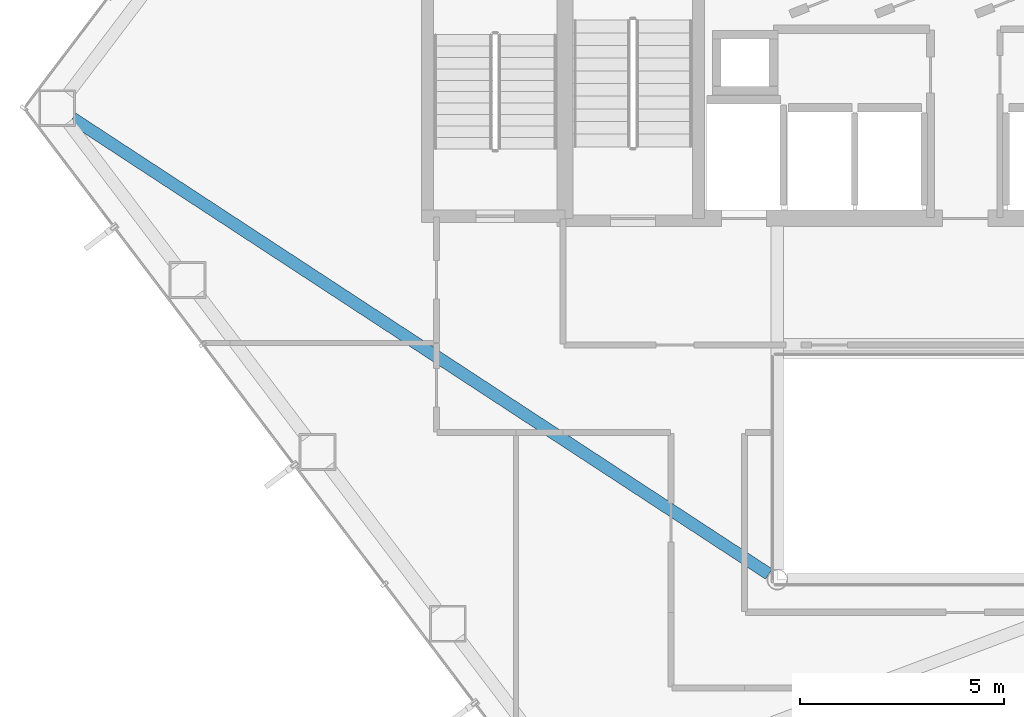
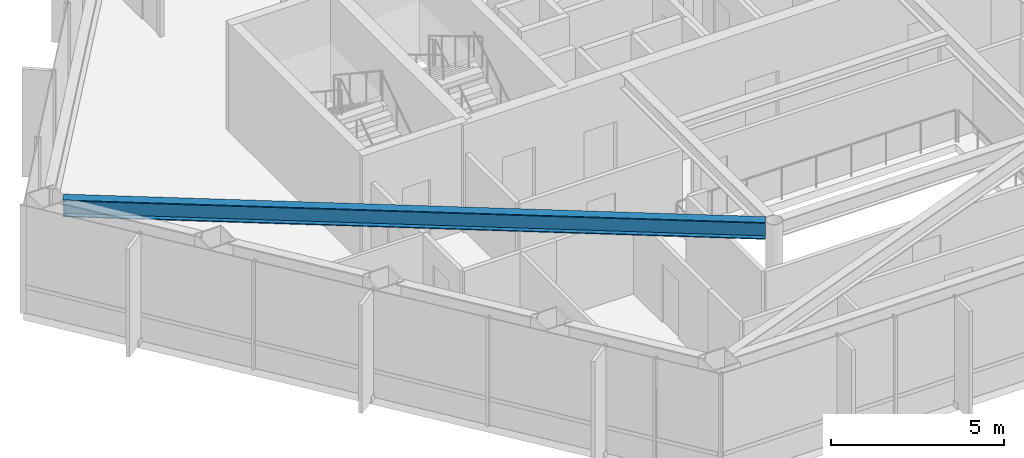
# One storey, part 5 of 25: 1 beam.
"""IFC4 building model written with IfcOpenShell, lengths in metres."""

from ifc_helpers import new_model, si_unit, direction, frame, origin, origin_2d, place, context, subcontext, project, spatial, i_section, extrude, material, material_profile, profile_set, type_object, element, save


model = new_model("IFC4")

# Units and contexts
model_context = context("Model", 3, precision=1e-05, world=origin(), true_north=direction((0.0, 1.0)))
body_context = subcontext(model_context, "Body", "Model", "MODEL_VIEW")
ifc_project = project(units=[si_unit("LENGTHUNIT", "METRE"), si_unit("AREAUNIT", "SQUARE_METRE"), si_unit("VOLUMEUNIT", "CUBIC_METRE"), si_unit("PLANEANGLEUNIT", "RADIAN"), si_unit("MASSUNIT", "GRAM", prefix="KILO")], contexts=[model_context])

# Site, building, storey
site_placement = place(None, origin())
site = spatial("IfcSite", under=ifc_project, at=site_placement, CompositionType="ELEMENT")
building_placement = place(site_placement, origin())
building = spatial("IfcBuilding", under=site, at=building_placement, Name="Zarrinselat Tower", CompositionType="ELEMENT")
storey_placement = place(building_placement, frame((0.0, 0.0, 88.739990234375)))
storey = spatial("IfcBuildingStorey", under=building, at=storey_placement, Name="L21", CompositionType="ELEMENT", Elevation=88.739990234375)

# Beam
ifc_material = material(Name="Steel S355J2", Category="steel")
ifc_material_profile = material_profile(ifc_material, i_section(OverallWidth=0.300048828125, OverallDepth=0.60009765625, WebThickness=0.015380859375, FlangeThickness=0.030029296875, at=origin_2d()), Name="HEB 600")
ifc_profile_set = profile_set([ifc_material_profile], Name="Steel S355J2")
beam_type = type_object("IfcBeamType", Name="BM-HEB600", PredefinedType="BEAM", material=ifc_profile_set)
beam_placement = place(storey_placement, frame((16.54150390625, 35.697998046875, 3.52001953125), z_axis=(0.83666598037, -0.547713462763, 0.0), x_axis=(0.547713462763, 0.83666598037, 0.0)))
element("IfcBeam", 1, at=beam_placement, inside=storey, type_object=beam_type, Name="L21 Radial Primary Girder RG06", PredefinedType="BEAM", context=body_context, shape_type="SweptSolid", body=[
    extrude(i_section(OverallWidth=0.300048828125, OverallDepth=0.60009765625, WebThickness=0.015380859375, FlangeThickness=0.030029296875, at=origin_2d()), origin(), (0.0, 0.0, 1.0), 20.377685546875),
])

save(model, "model.ifc")
